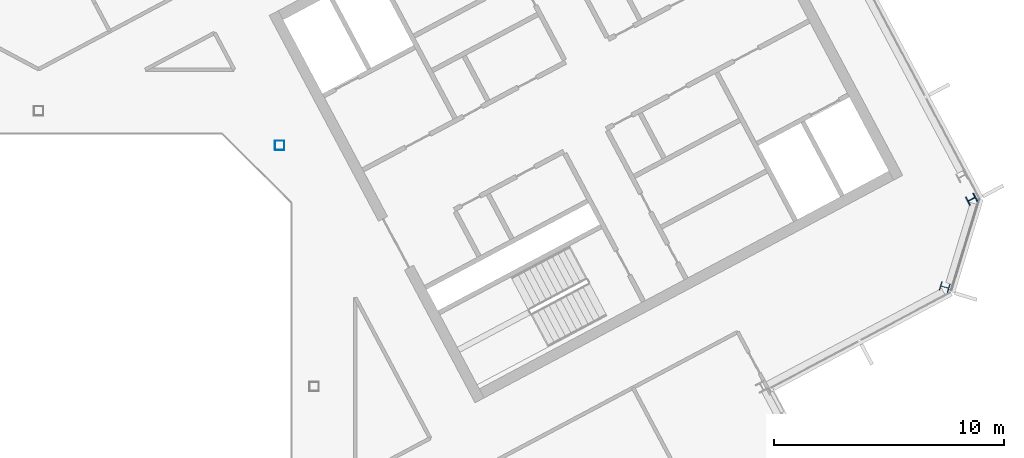
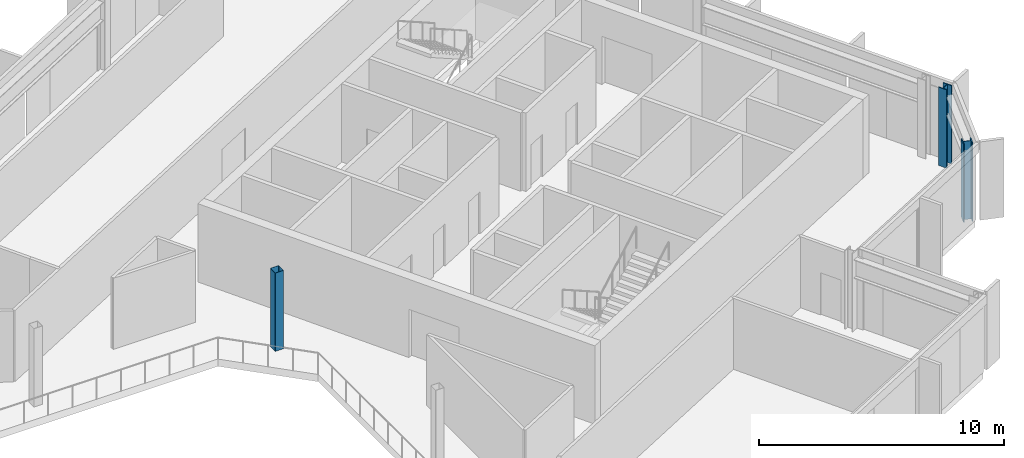
# One storey, part 6 of 26: 3 columns.
"""IFC4 building model written with IfcOpenShell, lengths in metres."""

from ifc_helpers import new_model, si_unit, direction, frame, origin, origin_2d, place, context, subcontext, project, spatial, hollow_rectangle, i_section, extrude, material, material_profile, profile_set, type_object, element, save


model = new_model("IFC4")

# Units and contexts
model_context = context("Model", 3, precision=1e-05, world=origin(), true_north=direction((0.0, 1.0)))
body_context = subcontext(model_context, "Body", "Model", "MODEL_VIEW")
ifc_project = project(units=[si_unit("LENGTHUNIT", "METRE"), si_unit("AREAUNIT", "SQUARE_METRE"), si_unit("VOLUMEUNIT", "CUBIC_METRE"), si_unit("PLANEANGLEUNIT", "RADIAN"), si_unit("MASSUNIT", "GRAM", prefix="KILO")], contexts=[model_context])

# Site, building, storey
site_placement = place(None, origin())
site = spatial("IfcSite", under=ifc_project, at=site_placement, CompositionType="ELEMENT")
building_placement = place(site_placement, origin())
building = spatial("IfcBuilding", under=site, at=building_placement, Name="Cormorant Relay Tower", CompositionType="ELEMENT")
storey_placement = place(building_placement, frame((0.0, 0.0, 277.5)))
storey = spatial("IfcBuildingStorey", under=building, at=storey_placement, Name="L62", CompositionType="ELEMENT", Elevation=277.5)

# Columns
ifc_material_1 = material(Name="Steel ASTM A500 Grade C (Fy 345 MPa)", Category="steel")
ifc_material_profile_1 = material_profile(ifc_material_1, hollow_rectangle(XDim=0.406494140625, YDim=0.406494140625, WallThickness=0.0087890625, InnerFilletRadius=0.00439453125, OuterFilletRadius=0.01318359375, at=origin_2d()), Name="HSS406x406x9")
ifc_profile_set_1 = profile_set([ifc_material_profile_1], Name="Steel ASTM A500 Grade C (Fy 345 MPa)")
column_type_1 = type_object("IfcColumnType", Name="Column HSS406x406x9", PredefinedType="COLUMN", material=ifc_profile_set_1)
column_placement = place(storey_placement, frame((10.5, 10.5, 0.0), z_axis=(0.0, 0.0, 1.0), x_axis=(1.0, 0.0, 0.0)))
element("IfcColumn", 1, at=column_placement, inside=storey, type_object=column_type_1, Name="Column L62-024", PredefinedType="COLUMN", context=body_context, shape_type="SweptSolid", body=[
    extrude(hollow_rectangle(XDim=0.406494140625, YDim=0.406494140625, WallThickness=0.0087890625, InnerFilletRadius=0.00439453125, OuterFilletRadius=0.01318359375, at=origin_2d()), origin(), (0.0, 0.0, 1.0), 3.89990234375),
])
ifc_material_2 = material(Name="Steel ASTM A992 (Fy 345 MPa)", Category="steel")
ifc_material_profile_2 = material_profile(ifc_material_2, i_section(OverallWidth=0.40380859375, OverallDepth=0.406494140625, WebThickness=0.027099609375, FlangeThickness=0.043701171875, FilletRadius=0.01513671875, at=origin_2d()), Name="W360x347")
ifc_profile_set_2 = profile_set([ifc_material_profile_2], Name="Steel ASTM A992 (Fy 345 MPa)")
column_type_2 = type_object("IfcColumnType", Name="Column W360x347", PredefinedType="COLUMN", material=ifc_profile_set_2)
for number, where, z_axis, x_axis, name in (
    (2, (39.464111328125, 4.330078125, 0.0), (0.0, 0.0, 1.0), (0.292371704723, 0.956304755963, 0.0), "Column L62-019"),
    (3, (40.633056640625, 8.153076171875, 0.0), (0.0, 0.0, 1.0), (-0.469471562786, 0.882947592859, 0.0), "Column L62-020"),
):
    element("IfcColumn", number, at=place(storey_placement, frame(where, z_axis=z_axis, x_axis=x_axis)), inside=storey, type_object=column_type_2, Name=name, PredefinedType="COLUMN", context=body_context, shape_type="SweptSolid", body=[
        extrude(i_section(OverallWidth=0.40380859375, OverallDepth=0.406494140625, WebThickness=0.027099609375, FlangeThickness=0.043701171875, FilletRadius=0.01513671875, at=origin_2d()), origin(), (0.0, 0.0, 1.0), 3.89990234375),
    ])

save(model, "model.ifc")
